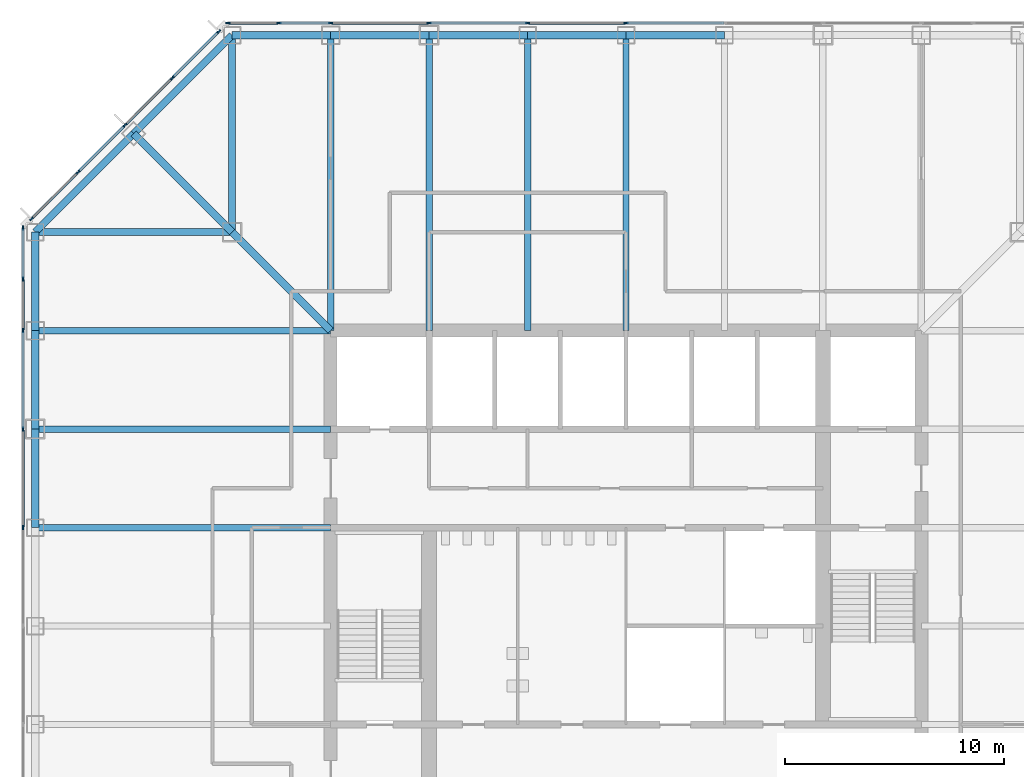
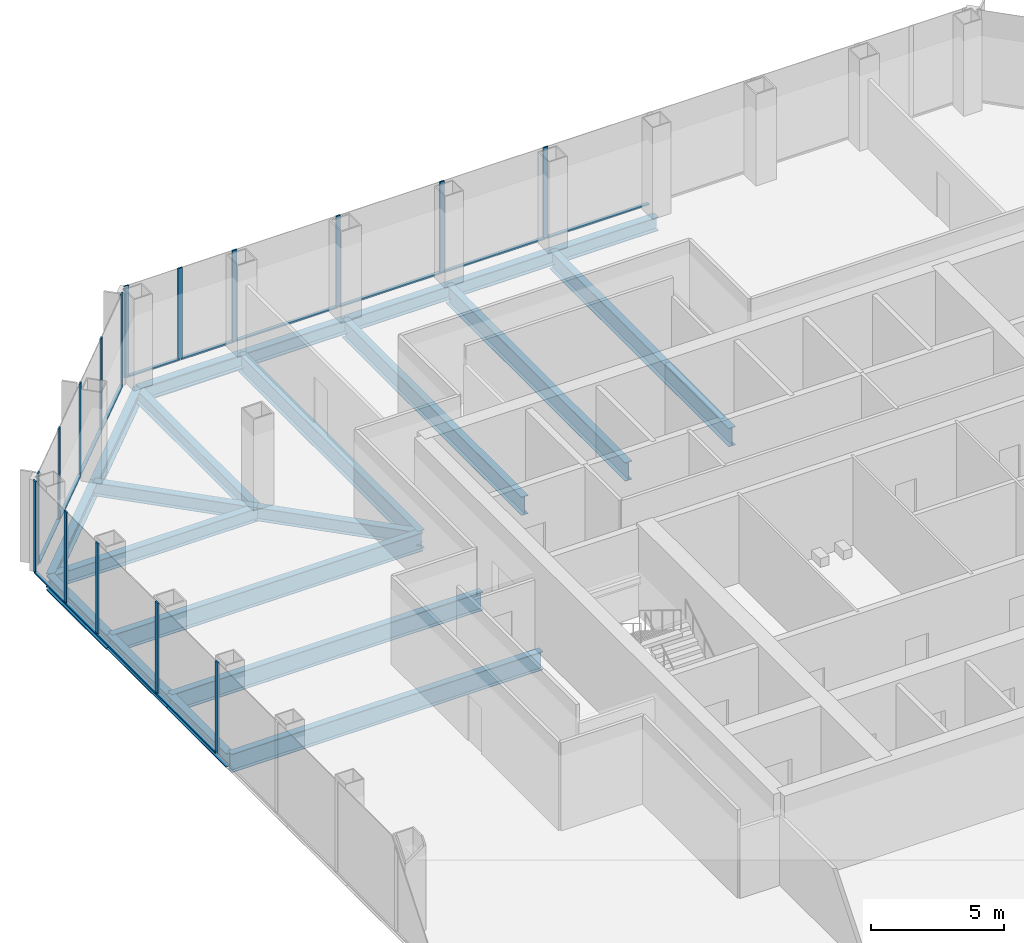
# One storey, part 5 of 12: 30 members, 21 beams, 3 elements without a shape of their own.
"""IFC4 building model written with IfcOpenShell, lengths in metres."""

import ifcopenshell
import ifcopenshell.guid

model = None  # the IFC model being written
_history = None  # IfcOwnerHistory: only IFC2X3 demands one
_inside = {}  # id of a spatial element -> (the spatial element, [elements in it])
_under = {}  # id of a project, library or spatial element -> (it, [spatial elements below it])
_declared = {}  # id of a project -> (the project, [libraries it declares])
_typed = {}  # id of a type object -> (the type object, [elements of that type])
_made_of = {}  # id of a material, layer set ... -> (it, [elements and type objects made of it])


def new_model(schema):
    """Start an empty IFC model of exactly this schema.

    Asked for "IFC4X3", IfcOpenShell would pick the latest addendum, in which some entities
    have other attributes; the version numbers below select the first issue.
    IFC2X3 requires an IfcOwnerHistory on every rooted entity: one is made here for all.
    """
    global model, _history
    if schema == "IFC4X3":
        model = ifcopenshell.file(schema_version=(4, 3, 0, 0))
    else:
        model = ifcopenshell.file(schema=schema)
    _inside.clear()
    _under.clear()
    _declared.clear()
    _typed.clear()
    _made_of.clear()
    _history = None
    if model.schema == "IFC2X3":
        org = make("IfcOrganization", Name="unknown")
        user = make(
            "IfcPersonAndOrganization",
            ThePerson=make("IfcPerson", FamilyName="unknown"),
            TheOrganization=org,
        )
        app = make(
            "IfcApplication",
            ApplicationDeveloper=org,
            Version="unknown",
            ApplicationFullName="unknown",
            ApplicationIdentifier="unknown",
        )
        _history = make(
            "IfcOwnerHistory",
            OwningUser=user,
            OwningApplication=app,
            ChangeAction="ADDED",
            CreationDate=0,
        )
    return model


def make(cls, **values):
    """One entity of the class cls with the attributes given. An attribute that is None is left unset."""
    return model.create_entity(
        cls, **{name: value for name, value in values.items() if value is not None}
    )


def rooted(cls, **values):
    """An entity with a GlobalId (a new one), such as an element, a storey or a relation."""
    return make(cls, GlobalId=ifcopenshell.guid.new(), OwnerHistory=_history, **values)


def si_unit(unit_type, name, prefix=None):
    """IfcSIUnit, for example si_unit("LENGTHUNIT", "METRE", prefix="MILLI")."""
    return make("IfcSIUnit", UnitType=unit_type, Prefix=prefix, Name=name)


def assignment(units):
    """IfcUnitAssignment: the units of a project."""
    return None if units is None else make("IfcUnitAssignment", Units=units)


def point(xyz):
    """IfcCartesianPoint."""
    return None if xyz is None else make("IfcCartesianPoint", Coordinates=xyz)


def direction(xyz):
    """IfcDirection."""
    return None if xyz is None else make("IfcDirection", DirectionRatios=xyz)


def frame(location, z_axis=None, x_axis=None):
    """IfcAxis2Placement3D, a coordinate frame: its origin and axes. An axis left out is left unset."""
    return make(
        "IfcAxis2Placement3D",
        Location=point(location),
        Axis=direction(z_axis),
        RefDirection=direction(x_axis),
    )


def frame_2d(location, x_axis=None):
    """IfcAxis2Placement2D, a coordinate frame in the plane: its origin and x axis."""
    return make(
        "IfcAxis2Placement2D", Location=point(location), RefDirection=direction(x_axis)
    )


def origin():
    """The frame at (0, 0, 0) with its axes left unset."""
    return frame((0.0, 0.0, 0.0))


def origin_2d():
    """The frame at (0, 0) in the plane with its x axis left unset."""
    return frame_2d((0.0, 0.0))


def place(relative_to, where):
    """IfcLocalPlacement: puts the frame where relative to a parent placement (None: the world)."""
    return make(
        "IfcLocalPlacement", PlacementRelTo=relative_to, RelativePlacement=where
    )


def context(
    kind, dimensions, precision=None, world=None, true_north=None, identifier=None
):
    """IfcGeometricRepresentationContext, for example the 3D "Model" context."""
    return make(
        "IfcGeometricRepresentationContext",
        ContextIdentifier=identifier,
        ContextType=kind,
        CoordinateSpaceDimension=dimensions,
        Precision=precision,
        WorldCoordinateSystem=world,
        TrueNorth=true_north,
    )


def subcontext(parent, identifier, kind, view, scale=None):
    """IfcGeometricRepresentationSubContext, for example "Body" below "Model"."""
    return make(
        "IfcGeometricRepresentationSubContext",
        ContextIdentifier=identifier,
        ContextType=kind,
        ParentContext=parent,
        TargetScale=scale,
        TargetView=view,
    )


def project(units=None, contexts=None):
    """IfcProject with its units and contexts."""
    return rooted(
        "IfcProject",
        Name="project",
        RepresentationContexts=contexts,
        UnitsInContext=assignment(units),
    )


def spatial(cls, under=None, at=None, **own):
    """A site, building, storey or space (cls), placed at a placement, below another one or the project."""
    s = rooted(cls, ObjectPlacement=at, **own)
    if under is not None:
        _under.setdefault(under.id(), (under, []))[1].append(s)
    return s


def profile(cls, at=None, kind="AREA", **sizes):
    """A parametric profile (cls). Its sizes go by their IFC names, for example OverallWidth=200.0."""
    return make(cls, ProfileType=kind, Position=at, **sizes)


def rectangle(**sizes):
    """IfcRectangleProfileDef."""
    return profile("IfcRectangleProfileDef", **sizes)


def i_section(**sizes):
    """IfcIShapeProfileDef."""
    return profile("IfcIShapeProfileDef", **sizes)


def extrude(swept, where, along, depth):
    """IfcExtrudedAreaSolid: the profile swept, set in the frame where, extruded along a direction by depth."""
    return make(
        "IfcExtrudedAreaSolid",
        SweptArea=swept,
        Position=where,
        ExtrudedDirection=direction(along),
        Depth=depth,
    )


def shape(context_of_items, identifier, shape_type, items):
    """IfcShapeRepresentation: the items that make up one representation, for example the "Body"."""
    return make(
        "IfcShapeRepresentation",
        ContextOfItems=context_of_items,
        RepresentationIdentifier=identifier,
        RepresentationType=shape_type,
        Items=items,
    )


def material(Name=None, Category=None):
    """IfcMaterial."""
    return make("IfcMaterial", Name=Name, Category=Category)


def material_profile(
    of_material, cross_section, Name=None, Category=None, Priority=None
):
    """IfcMaterialProfile: a cross section and its material."""
    return make(
        "IfcMaterialProfile",
        Name=Name,
        Material=of_material,
        Profile=cross_section,
        Priority=Priority,
        Category=Category,
    )


def profile_set(profiles, Name=None, composite=None):
    """IfcMaterialProfileSet."""
    return make(
        "IfcMaterialProfileSet",
        Name=Name,
        MaterialProfiles=profiles,
        CompositeProfile=composite,
    )


def made_of(thing, what):
    """Note that an element or type object is made of a material, layer set ...; save() writes the relation."""
    if what is not None:
        _made_of.setdefault(what.id(), (what, []))[1].append(thing)
    return thing


def type_object(cls, material=None, **own):
    """A type object (cls), such as IfcWallType, which elements share."""
    return made_of(rooted(cls, **own), material)


def element(
    cls,
    number,
    at=None,
    inside=None,
    cuts=None,
    type_object=None,
    material=None,
    context=None,
    identifier="Body",
    shape_type=None,
    held_by="IfcProductDefinitionShape",
    body=None,
    shapes=None,
    **own,
):
    """One element of the class cls, such as IfcWall. Its Tag is "e" and its number.

    at: its placement. inside: the storey or other place that contains it. cuts: it is an
    opening in that element (IfcRelVoidsElement). A single representation is given by context,
    identifier, shape_type and body (its items); several are given by shapes. held_by: the class
    of the entity that holds the representations. save() writes the other relations.
    """
    e = rooted(cls, Tag="e%d" % number, ObjectPlacement=at, **own)
    if body is not None:
        shapes = [shape(context, identifier, shape_type, body)]
    if shapes is not None:
        e.Representation = make(held_by, Representations=shapes)
    if inside is not None:
        _inside.setdefault(inside.id(), (inside, []))[1].append(e)
    if cuts is not None:
        rooted(
            "IfcRelVoidsElement", RelatingBuildingElement=cuts, RelatedOpeningElement=e
        )
    if type_object is not None:
        _typed.setdefault(type_object.id(), (type_object, []))[1].append(e)
    return made_of(e, material)


def aggregate(whole, parts):
    """IfcRelAggregates: a whole, such as a stair, and the parts it consists of."""
    return rooted("IfcRelAggregates", RelatingObject=whole, RelatedObjects=parts)


def save(model, path):
    """Write the relations noted so far, then the file.

    IfcRelAggregates (storeys below a building ...), IfcRelContainedInSpatialStructure (elements
    in a storey), IfcRelDefinesByType, IfcRelAssociatesMaterial and IfcRelDeclares: one each for
    every whole, place, type object, material and project.
    """
    for whole, parts in _under.values():
        aggregate(whole, parts)
    for where, things in _inside.values():
        rooted(
            "IfcRelContainedInSpatialStructure",
            RelatedElements=things,
            RelatingStructure=where,
        )
    for kind, things in _typed.values():
        rooted("IfcRelDefinesByType", RelatedObjects=things, RelatingType=kind)
    for what, things in _made_of.values():
        rooted("IfcRelAssociatesMaterial", RelatedObjects=things, RelatingMaterial=what)
    for by, libraries in _declared.values():
        rooted("IfcRelDeclares", RelatingContext=by, RelatedDefinitions=libraries)
    model.write(path)


model = new_model("IFC4")

# Units and contexts
model_context = context("Model", 3, precision=1e-05, world=origin(), true_north=direction((0.0, 1.0)))
body_context = subcontext(model_context, "Body", "Model", "MODEL_VIEW")
ifc_project = project(units=[si_unit("LENGTHUNIT", "METRE"), si_unit("AREAUNIT", "SQUARE_METRE"), si_unit("VOLUMEUNIT", "CUBIC_METRE"), si_unit("PLANEANGLEUNIT", "RADIAN"), si_unit("MASSUNIT", "GRAM", prefix="KILO")], contexts=[model_context])

# Site, building, storey
site_placement = place(None, origin())
site = spatial("IfcSite", under=ifc_project, at=site_placement, CompositionType="ELEMENT")
building_placement = place(site_placement, origin())
building = spatial("IfcBuilding", under=site, at=building_placement, Name="Corais Broadcast Tower", CompositionType="ELEMENT")
storey_placement = place(building_placement, frame((0.0, 0.0, 71.0)))
storey = spatial("IfcBuildingStorey", under=building, at=storey_placement, Name="L15", CompositionType="ELEMENT", Elevation=71.0)

# Beams
ifc_material_1 = material(Name="Steel ASTM A572 Grade 50", Category="steel")
ifc_material_profile_1 = material_profile(ifc_material_1, i_section(OverallWidth=0.323974609375, OverallDepth=0.611083984375, WebThickness=0.0126953125, FlangeThickness=0.01904296875, at=origin_2d()), Name="W610x155")
ifc_profile_set_1 = profile_set([ifc_material_profile_1], Name="Steel ASTM A572 Grade 50")
beam_type_1 = type_object("IfcBeamType", Name="Chamfer tie W610x155", PredefinedType="BEAM", material=ifc_profile_set_1)
beam_1_placement = place(storey_placement, frame((4.5, 49.5, -0.465576171875), z_axis=(0.707106781187, -0.707106781187, 0.0), x_axis=(0.707106781187, 0.707106781187, 0.0)))
element("IfcBeam", 1, at=beam_1_placement, inside=storey, type_object=beam_type_1, Name="B5 M/4 to L/5", PredefinedType="BEAM", context=body_context, shape_type="SweptSolid", body=[
    extrude(i_section(OverallWidth=0.323974609375, OverallDepth=0.611083984375, WebThickness=0.0126953125, FlangeThickness=0.01904296875, at=origin_2d()), origin(), (0.0, 0.0, 1.0), 6.364013671875),
])
ifc_material_2 = material(Name="Steel ASTM A572 Grade 50", Category="steel")
ifc_material_profile_2 = material_profile(ifc_material_2, i_section(OverallWidth=0.323974609375, OverallDepth=0.611083984375, WebThickness=0.0126953125, FlangeThickness=0.01904296875, at=origin_2d()), Name="W610x155")
ifc_profile_set_2 = profile_set([ifc_material_profile_2], Name="Steel ASTM A572 Grade 50")
beam_type_2 = type_object("IfcBeamType", Name="Corner diagonal W610x155", PredefinedType="BEAM", material=ifc_profile_set_2)
beam_2_placement = place(storey_placement, frame((9.0, 45.0, -0.465576171875), z_axis=(0.707106781187, -0.707106781187, 0.0), x_axis=(0.707106781187, 0.707106781187, 0.0)))
element("IfcBeam", 2, at=beam_2_placement, inside=storey, type_object=beam_type_2, Name="B6 L/5 to K/6", PredefinedType="BEAM", context=body_context, shape_type="SweptSolid", body=[
    extrude(i_section(OverallWidth=0.323974609375, OverallDepth=0.611083984375, WebThickness=0.0126953125, FlangeThickness=0.01904296875, at=origin_2d()), origin(), (0.0, 0.0, 1.0), 6.364013671875),
])
ifc_material_3 = material(Name="Steel ASTM A572 Grade 50", Category="steel")
ifc_material_profile_3 = material_profile(ifc_material_3, i_section(OverallWidth=0.323974609375, OverallDepth=0.611083984375, WebThickness=0.0126953125, FlangeThickness=0.01904296875, at=origin_2d()), Name="W610x155")
ifc_profile_set_3 = profile_set([ifc_material_profile_3], Name="Steel ASTM A572 Grade 50")
beam_type_3 = type_object("IfcBeamType", Name="Corner girder W610x155", PredefinedType="BEAM", material=ifc_profile_set_3)
for number, where, z_axis, x_axis, name in (
    (3, (0.0, 45.0, -0.465576171875), (1.0, 0.0, 0.0), (0.0, 1.0, 0.0), "B4 L/3 to L/5"),
    (4, (9.0, 54.0, -0.465576171875), (0.0, -1.0, 0.0), (1.0, 0.0, 0.0), "B4 N/5 to L/5"),
):
    element("IfcBeam", number, at=place(storey_placement, frame(where, z_axis=z_axis, x_axis=x_axis)), inside=storey, type_object=beam_type_3, Name=name, PredefinedType="BEAM", context=body_context, shape_type="SweptSolid", body=[
        extrude(i_section(OverallWidth=0.323974609375, OverallDepth=0.611083984375, WebThickness=0.0126953125, FlangeThickness=0.01904296875, at=origin_2d()), origin(), (0.0, 0.0, 1.0), 9.0),
    ])
ifc_material_4 = material(Name="Steel ASTM A572 Grade 50", Category="steel")
ifc_material_profile_4 = material_profile(ifc_material_4, i_section(OverallWidth=0.337890625, OverallDepth=0.677978515625, WebThickness=0.029541015625, FlangeThickness=0.052978515625, at=origin_2d()), Name="W610x415")
ifc_profile_set_4 = profile_set([ifc_material_profile_4], Name="Steel ASTM A572 Grade 50")
beam_type_4 = type_object("IfcBeamType", Name="Corner spandrel W610x415", PredefinedType="BEAM", material=ifc_profile_set_4)
for number, where, z_axis, x_axis, name in (
    (5, (0.0, 45.0, -0.4990234375), (0.0, -1.0, 0.0), (1.0, 0.0, 0.0), "SB10 L/3 to K/3"),
    (6, (13.5, 54.0, -0.4990234375), (-1.0, 0.0, 0.0), (0.0, -1.0, 0.0), "SB10 N/6 to N/5"),
):
    element("IfcBeam", number, at=place(storey_placement, frame(where, z_axis=z_axis, x_axis=x_axis)), inside=storey, type_object=beam_type_4, Name=name, PredefinedType="BEAM", context=body_context, shape_type="SweptSolid", body=[
        extrude(i_section(OverallWidth=0.337890625, OverallDepth=0.677978515625, WebThickness=0.029541015625, FlangeThickness=0.052978515625, at=origin_2d()), origin(), (0.0, 0.0, 1.0), 4.5),
    ])
ifc_material_5 = material(Name="Steel ASTM A572 Grade 50", Category="steel")
ifc_material_profile_5 = material_profile(ifc_material_5, i_section(OverallWidth=0.2939453125, OverallDepth=0.85107421875, WebThickness=0.01611328125, FlangeThickness=0.02685546875, at=origin_2d()), Name="W840x226")
ifc_profile_set_5 = profile_set([ifc_material_profile_5], Name="Steel ASTM A572 Grade 50")
beam_type_5 = type_object("IfcBeamType", Name="Floor beam W840x226", PredefinedType="BEAM", material=ifc_profile_set_5)
for number, where, z_axis, x_axis, name in (
    (7, (0.0, 31.5, -0.58544921875), (1.0, 0.0, 0.0), (0.0, 1.0, 0.0), "B1 H/3 to H/6"),
    (8, (0.0, 36.0, -0.58544921875), (1.0, 0.0, 0.0), (0.0, 1.0, 0.0), "B1 J/3 to J/6"),
    (9, (0.0, 40.5, -0.58544921875), (1.0, 0.0, 0.0), (0.0, 1.0, 0.0), "B1 K/3 to K/6"),
    (10, (13.5, 54.0, -0.58544921875), (0.0, -1.0, 0.0), (1.0, 0.0, 0.0), "B1 N/6 to K/6"),
    (11, (18.0, 54.0, -0.58544921875), (0.0, -1.0, 0.0), (1.0, 0.0, 0.0), "B1 N/7 to K/7"),
    (12, (22.5, 54.0, -0.58544921875), (0.0, -1.0, 0.0), (1.0, 0.0, 0.0), "B1 N/8 to K/8"),
    (13, (27.0, 54.0, -0.58544921875), (0.0, -1.0, 0.0), (1.0, 0.0, 0.0), "B1 N/9 to K/9"),
):
    element("IfcBeam", number, at=place(storey_placement, frame(where, z_axis=z_axis, x_axis=x_axis)), inside=storey, type_object=beam_type_5, Name=name, PredefinedType="BEAM", context=body_context, shape_type="SweptSolid", body=[
        extrude(i_section(OverallWidth=0.2939453125, OverallDepth=0.85107421875, WebThickness=0.01611328125, FlangeThickness=0.02685546875, at=origin_2d()), origin(), (0.0, 0.0, 1.0), 13.5),
    ])

# Curtain wall, members
ifc_material_6 = material(Name="Aluminium and glass", Category="aluminium")
curtain_wall_type = type_object("IfcCurtainWallType", Name="Unitised fritted curtain wall CW1", PredefinedType="NOTDEFINED", material=ifc_material_6)
curtain_wall_1_placement = place(storey_placement, origin())
curtain_wall_1 = element("IfcCurtainWall", 14, at=curtain_wall_1_placement, inside=storey, type_object=curtain_wall_type, Name="CW1 curtain wall L15 2", PredefinedType="NOTDEFINED")
ifc_material_7 = material(Name="Aluminium 6063-T6", Category="aluminium")
ifc_material_profile_6 = material_profile(ifc_material_7, rectangle(XDim=0.06494140625, YDim=0.199951171875, at=origin_2d()), Name="Mullion CW1 65x200")
ifc_profile_set_6 = profile_set([ifc_material_profile_6], Name="Aluminium 6063-T6")
member_type_1 = type_object("IfcMemberType", Name="Mullion CW1 65x200", PredefinedType="MULLION", material=ifc_profile_set_6)
member_1_placement = place(storey_placement, frame((-0.550048828125, 31.5, 0.0), z_axis=(0.0, 0.0, 1.0), x_axis=(-1.0, 0.0, 0.0)))
member_1 = element("IfcMember", 15, at=member_1_placement, type_object=member_type_1, Name="CW1 mullion 7", PredefinedType="MULLION", context=body_context, shape_type="SweptSolid", body=[
    extrude(rectangle(XDim=0.06494140625, YDim=0.199951171875, at=origin_2d()), origin(), (0.0, 0.0, 1.0), 4.199951171875),
])
member_2_placement = place(storey_placement, frame((-0.550048828125, 36.0, 0.0), z_axis=(0.0, 0.0, 1.0), x_axis=(-1.0, 0.0, 0.0)))
member_2 = element("IfcMember", 16, at=member_2_placement, type_object=member_type_1, Name="CW1 mullion 8", PredefinedType="MULLION", context=body_context, shape_type="SweptSolid", body=[
    extrude(rectangle(XDim=0.06494140625, YDim=0.199951171875, at=origin_2d()), origin(), (0.0, 0.0, 1.0), 4.199951171875),
])
member_3_placement = place(storey_placement, frame((-0.550048828125, 40.5, 0.0), z_axis=(0.0, 0.0, 1.0), x_axis=(-1.0, 0.0, 0.0)))
member_3 = element("IfcMember", 17, at=member_3_placement, type_object=member_type_1, Name="CW1 mullion 9", PredefinedType="MULLION", context=body_context, shape_type="SweptSolid", body=[
    extrude(rectangle(XDim=0.06494140625, YDim=0.199951171875, at=origin_2d()), origin(), (0.0, 0.0, 1.0), 4.199951171875),
])
member_4_placement = place(storey_placement, frame((-0.550048828125, 42.864013671875, 0.0), z_axis=(0.0, 0.0, 1.0), x_axis=(-1.0, 0.0, 0.0)))
member_4 = element("IfcMember", 18, at=member_4_placement, type_object=member_type_1, Name="CW1 mullion 10", PredefinedType="MULLION", context=body_context, shape_type="SweptSolid", body=[
    extrude(rectangle(XDim=0.06494140625, YDim=0.199951171875, at=origin_2d()), origin(), (0.0, 0.0, 1.0), 4.199951171875),
])
member_5_placement = place(storey_placement, frame((-0.550048828125, 45.1953125, 0.0), z_axis=(0.0, 0.0, 1.0), x_axis=(-1.0, 0.0, 0.0)))
member_5 = element("IfcMember", 19, at=member_5_placement, type_object=member_type_1, Name="CW1 mullion 11", PredefinedType="MULLION", context=body_context, shape_type="SweptSolid", body=[
    extrude(rectangle(XDim=0.06494140625, YDim=0.199951171875, at=origin_2d()), origin(), (0.0, 0.0, 1.0), 4.199951171875),
])

curtain_wall_2_placement = place(storey_placement, origin())
curtain_wall_2 = element("IfcCurtainWall", 20, at=curtain_wall_2_placement, inside=storey, type_object=curtain_wall_type, Name="CW1 curtain wall L15 3", PredefinedType="NOTDEFINED")
member_6_placement = place(storey_placement, frame((-0.17333984375, 45.6044921875, 0.0), z_axis=(0.0, 0.0, 1.0), x_axis=(-0.707106781187, 0.707106781187, 0.0)))
member_6 = element("IfcMember", 21, at=member_6_placement, type_object=member_type_1, Name="CW1 mullion 1", PredefinedType="MULLION", context=body_context, shape_type="SweptSolid", body=[
    extrude(rectangle(XDim=0.06494140625, YDim=0.199951171875, at=origin_2d()), origin(), (0.0, 0.0, 1.0), 4.199951171875),
])
member_7_placement = place(storey_placement, frame((1.957275390625, 47.735107421875, 0.0), z_axis=(0.0, 0.0, 1.0), x_axis=(-0.707106781187, 0.707106781187, 0.0)))
member_7 = element("IfcMember", 22, at=member_7_placement, type_object=member_type_1, Name="CW1 mullion 2", PredefinedType="MULLION", context=body_context, shape_type="SweptSolid", body=[
    extrude(rectangle(XDim=0.06494140625, YDim=0.199951171875, at=origin_2d()), origin(), (0.0, 0.0, 1.0), 4.199951171875),
])
member_8_placement = place(storey_placement, frame((4.111083984375, 49.888916015625, 0.0), z_axis=(0.0, 0.0, 1.0), x_axis=(-0.707106781187, 0.707106781187, 0.0)))
member_8 = element("IfcMember", 23, at=member_8_placement, type_object=member_type_1, Name="CW1 mullion 3", PredefinedType="MULLION", context=body_context, shape_type="SweptSolid", body=[
    extrude(rectangle(XDim=0.06494140625, YDim=0.199951171875, at=origin_2d()), origin(), (0.0, 0.0, 1.0), 4.199951171875),
])
member_9_placement = place(storey_placement, frame((6.264892578125, 52.042724609375, 0.0), z_axis=(0.0, 0.0, 1.0), x_axis=(-0.707106781187, 0.707106781187, 0.0)))
member_9 = element("IfcMember", 24, at=member_9_placement, type_object=member_type_1, Name="CW1 mullion 4", PredefinedType="MULLION", context=body_context, shape_type="SweptSolid", body=[
    extrude(rectangle(XDim=0.06494140625, YDim=0.199951171875, at=origin_2d()), origin(), (0.0, 0.0, 1.0), 4.199951171875),
])
member_10_placement = place(storey_placement, frame((8.3955078125, 54.17333984375, 0.0), z_axis=(0.0, 0.0, 1.0), x_axis=(-0.707106781187, 0.707106781187, 0.0)))
member_10 = element("IfcMember", 25, at=member_10_placement, type_object=member_type_1, Name="CW1 mullion 5", PredefinedType="MULLION", context=body_context, shape_type="SweptSolid", body=[
    extrude(rectangle(XDim=0.06494140625, YDim=0.199951171875, at=origin_2d()), origin(), (0.0, 0.0, 1.0), 4.199951171875),
])

curtain_wall_3_placement = place(storey_placement, origin())
curtain_wall_3 = element("IfcCurtainWall", 26, at=curtain_wall_3_placement, inside=storey, type_object=curtain_wall_type, Name="CW1 curtain wall L15 4", PredefinedType="NOTDEFINED")
member_11_placement = place(storey_placement, frame((8.8046875, 54.550048828125, 0.0), z_axis=(0.0, 0.0, 1.0), x_axis=(0.0, 1.0, 0.0)))
member_11 = element("IfcMember", 27, at=member_11_placement, type_object=member_type_1, Name="CW1 mullion 1", PredefinedType="MULLION", context=body_context, shape_type="SweptSolid", body=[
    extrude(rectangle(XDim=0.06494140625, YDim=0.199951171875, at=origin_2d()), origin(), (0.0, 0.0, 1.0), 4.199951171875),
])
member_12_placement = place(storey_placement, frame((11.135986328125, 54.550048828125, 0.0), z_axis=(0.0, 0.0, 1.0), x_axis=(0.0, 1.0, 0.0)))
member_12 = element("IfcMember", 28, at=member_12_placement, type_object=member_type_1, Name="CW1 mullion 2", PredefinedType="MULLION", context=body_context, shape_type="SweptSolid", body=[
    extrude(rectangle(XDim=0.06494140625, YDim=0.199951171875, at=origin_2d()), origin(), (0.0, 0.0, 1.0), 4.199951171875),
])
member_13_placement = place(storey_placement, frame((13.5, 54.550048828125, 0.0), z_axis=(0.0, 0.0, 1.0), x_axis=(0.0, 1.0, 0.0)))
member_13 = element("IfcMember", 29, at=member_13_placement, type_object=member_type_1, Name="CW1 mullion 3", PredefinedType="MULLION", context=body_context, shape_type="SweptSolid", body=[
    extrude(rectangle(XDim=0.06494140625, YDim=0.199951171875, at=origin_2d()), origin(), (0.0, 0.0, 1.0), 4.199951171875),
])
member_14_placement = place(storey_placement, frame((18.0, 54.550048828125, 0.0), z_axis=(0.0, 0.0, 1.0), x_axis=(0.0, 1.0, 0.0)))
member_14 = element("IfcMember", 30, at=member_14_placement, type_object=member_type_1, Name="CW1 mullion 4", PredefinedType="MULLION", context=body_context, shape_type="SweptSolid", body=[
    extrude(rectangle(XDim=0.06494140625, YDim=0.199951171875, at=origin_2d()), origin(), (0.0, 0.0, 1.0), 4.199951171875),
])
member_15_placement = place(storey_placement, frame((22.5, 54.550048828125, 0.0), z_axis=(0.0, 0.0, 1.0), x_axis=(0.0, 1.0, 0.0)))
member_15 = element("IfcMember", 31, at=member_15_placement, type_object=member_type_1, Name="CW1 mullion 5", PredefinedType="MULLION", context=body_context, shape_type="SweptSolid", body=[
    extrude(rectangle(XDim=0.06494140625, YDim=0.199951171875, at=origin_2d()), origin(), (0.0, 0.0, 1.0), 4.199951171875),
])
member_16_placement = place(storey_placement, frame((27.0, 54.550048828125, 0.0), z_axis=(0.0, 0.0, 1.0), x_axis=(0.0, 1.0, 0.0)))
member_16 = element("IfcMember", 32, at=member_16_placement, type_object=member_type_1, Name="CW1 mullion 6", PredefinedType="MULLION", context=body_context, shape_type="SweptSolid", body=[
    extrude(rectangle(XDim=0.06494140625, YDim=0.199951171875, at=origin_2d()), origin(), (0.0, 0.0, 1.0), 4.199951171875),
])

# Beams
ifc_material_8 = material(Name="Steel ASTM A572 Grade 50", Category="steel")
ifc_material_profile_7 = material_profile(ifc_material_8, i_section(OverallWidth=0.3291015625, OverallDepth=0.635009765625, WebThickness=0.017822265625, FlangeThickness=0.031005859375, at=origin_2d()), Name="W610x241")
ifc_profile_set_7 = profile_set([ifc_material_profile_7], Name="Steel ASTM A572 Grade 50")
beam_type_6 = type_object("IfcBeamType", Name="Spandrel W610x241", PredefinedType="BEAM", material=ifc_profile_set_7)
for number, where, z_axis, x_axis, name in (
    (33, (0.0, 36.0, -0.4775390625), (0.0, -1.0, 0.0), (1.0, 0.0, 0.0), "SB1 J/3 to H/3"),
    (34, (0.0, 40.5, -0.4775390625), (0.0, -1.0, 0.0), (1.0, 0.0, 0.0), "SB1 K/3 to J/3"),
    (35, (18.0, 54.0, -0.4775390625), (-1.0, 0.0, 0.0), (0.0, -1.0, 0.0), "SB1 N/7 to N/6"),
    (36, (22.5, 54.0, -0.4775390625), (-1.0, 0.0, 0.0), (0.0, -1.0, 0.0), "SB1 N/8 to N/7"),
    (37, (27.0, 54.0, -0.4775390625), (-1.0, 0.0, 0.0), (0.0, -1.0, 0.0), "SB1 N/9 to N/8"),
    (38, (31.5, 54.0, -0.4775390625), (-1.0, 0.0, 0.0), (0.0, -1.0, 0.0), "SB1 N/10 to N/9"),
):
    element("IfcBeam", number, at=place(storey_placement, frame(where, z_axis=z_axis, x_axis=x_axis)), inside=storey, type_object=beam_type_6, Name=name, PredefinedType="BEAM", context=body_context, shape_type="SweptSolid", body=[
        extrude(i_section(OverallWidth=0.3291015625, OverallDepth=0.635009765625, WebThickness=0.017822265625, FlangeThickness=0.031005859375, at=origin_2d()), origin(), (0.0, 0.0, 1.0), 4.5),
    ])
for number, where, z_axis, x_axis, name in (
    (39, (4.5, 49.5, -0.4775390625), (-0.707106781187, -0.707106781187, 0.0), (0.707106781187, -0.707106781187, 0.0), "SB1 M/4 to L/3"),
    (40, (9.0, 54.0, -0.4775390625), (-0.707106781187, -0.707106781187, 0.0), (0.707106781187, -0.707106781187, 0.0), "SB1 N/5 to M/4"),
):
    element("IfcBeam", number, at=place(storey_placement, frame(where, z_axis=z_axis, x_axis=x_axis)), inside=storey, type_object=beam_type_6, Name=name, PredefinedType="BEAM", context=body_context, shape_type="SweptSolid", body=[
        extrude(i_section(OverallWidth=0.3291015625, OverallDepth=0.635009765625, WebThickness=0.017822265625, FlangeThickness=0.031005859375, at=origin_2d()), origin(), (0.0, 0.0, 1.0), 6.364013671875),
    ])

# Member
ifc_material_9 = material(Name="Aluminium 6063-T6", Category="aluminium")
ifc_material_profile_8 = material_profile(ifc_material_9, rectangle(XDim=0.139892578125, YDim=0.06494140625, at=origin_2d()), Name="Transom CW1 65x140")
ifc_profile_set_8 = profile_set([ifc_material_profile_8], Name="Aluminium 6063-T6")
member_type_2 = type_object("IfcMemberType", Name="Transom CW1 65x140", PredefinedType="USERDEFINED", material=ifc_profile_set_8)
member_17_placement = place(storey_placement, frame((-0.550048828125, 31.532470703125, 0.032470703125), z_axis=(0.0, 1.0, 0.0), x_axis=(-1.0, 0.0, 0.0)))
member_17 = element("IfcMember", 41, at=member_17_placement, type_object=member_type_2, Name="CW1 transom 7.1", ObjectType="TRANSOM", PredefinedType="USERDEFINED", context=body_context, shape_type="SweptSolid", body=[
    extrude(rectangle(XDim=0.139892578125, YDim=0.06494140625, at=origin_2d()), origin(), (0.0, 0.0, 1.0), 4.43505859375),
])

member_18_placement = place(storey_placement, frame((-0.550048828125, 36.032470703125, 0.032470703125), z_axis=(0.0, 1.0, 0.0), x_axis=(-1.0, 0.0, 0.0)))
member_18 = element("IfcMember", 42, at=member_18_placement, type_object=member_type_2, Name="CW1 transom 8.1", ObjectType="TRANSOM", PredefinedType="USERDEFINED", context=body_context, shape_type="SweptSolid", body=[
    extrude(rectangle(XDim=0.139892578125, YDim=0.06494140625, at=origin_2d()), origin(), (0.0, 0.0, 1.0), 4.43505859375),
])

member_19_placement = place(storey_placement, frame((-0.550048828125, 40.532470703125, 0.032470703125), z_axis=(0.0, 1.0, 0.0), x_axis=(-1.0, 0.0, 0.0)))
member_19 = element("IfcMember", 43, at=member_19_placement, type_object=member_type_2, Name="CW1 transom 9.1", ObjectType="TRANSOM", PredefinedType="USERDEFINED", context=body_context, shape_type="SweptSolid", body=[
    extrude(rectangle(XDim=0.139892578125, YDim=0.06494140625, at=origin_2d()), origin(), (0.0, 0.0, 1.0), 2.298828125),
])

member_20_placement = place(storey_placement, frame((-0.550048828125, 42.896484375, 0.032470703125), z_axis=(0.0, 1.0, 0.0), x_axis=(-1.0, 0.0, 0.0)))
member_20 = element("IfcMember", 44, at=member_20_placement, type_object=member_type_2, Name="CW1 transom 10.1", ObjectType="TRANSOM", PredefinedType="USERDEFINED", context=body_context, shape_type="SweptSolid", body=[
    extrude(rectangle(XDim=0.139892578125, YDim=0.06494140625, at=origin_2d()), origin(), (0.0, 0.0, 1.0), 2.266357421875),
])

aggregate(curtain_wall_1, [member_1, member_2, member_3, member_4, member_5, member_17, member_18, member_19, member_20])

member_21_placement = place(storey_placement, frame((-0.150390625, 45.62744140625, 0.032470703125), z_axis=(0.707106781187, 0.707106781187, 0.0), x_axis=(-0.707106781187, 0.707106781187, 0.0)))
member_21 = element("IfcMember", 45, at=member_21_placement, type_object=member_type_2, Name="CW1 transom 1.1", ObjectType="TRANSOM", PredefinedType="USERDEFINED", context=body_context, shape_type="SweptSolid", body=[
    extrude(rectangle(XDim=0.139892578125, YDim=0.06494140625, at=origin_2d()), origin(), (0.0, 0.0, 1.0), 2.9482421875),
])

member_22_placement = place(storey_placement, frame((1.980224609375, 47.758056640625, 0.032470703125), z_axis=(0.707106781187, 0.707106781187, 0.0), x_axis=(-0.707106781187, 0.707106781187, 0.0)))
member_22 = element("IfcMember", 46, at=member_22_placement, type_object=member_type_2, Name="CW1 transom 2.1", ObjectType="TRANSOM", PredefinedType="USERDEFINED", context=body_context, shape_type="SweptSolid", body=[
    extrude(rectangle(XDim=0.139892578125, YDim=0.06494140625, at=origin_2d()), origin(), (0.0, 0.0, 1.0), 2.98095703125),
])

member_23_placement = place(storey_placement, frame((4.134033203125, 49.911865234375, 0.032470703125), z_axis=(0.707106781187, 0.707106781187, 0.0), x_axis=(-0.707106781187, 0.707106781187, 0.0)))
member_23 = element("IfcMember", 47, at=member_23_placement, type_object=member_type_2, Name="CW1 transom 3.1", ObjectType="TRANSOM", PredefinedType="USERDEFINED", context=body_context, shape_type="SweptSolid", body=[
    extrude(rectangle(XDim=0.139892578125, YDim=0.06494140625, at=origin_2d()), origin(), (0.0, 0.0, 1.0), 2.98095703125),
])

member_24_placement = place(storey_placement, frame((6.287841796875, 52.065673828125, 0.032470703125), z_axis=(0.707106781187, 0.707106781187, 0.0), x_axis=(-0.707106781187, 0.707106781187, 0.0)))
member_24 = element("IfcMember", 48, at=member_24_placement, type_object=member_type_2, Name="CW1 transom 4.1", ObjectType="TRANSOM", PredefinedType="USERDEFINED", context=body_context, shape_type="SweptSolid", body=[
    extrude(rectangle(XDim=0.139892578125, YDim=0.06494140625, at=origin_2d()), origin(), (0.0, 0.0, 1.0), 2.9482421875),
])

aggregate(curtain_wall_2, [member_6, member_7, member_8, member_9, member_10, member_21, member_22, member_23, member_24])

member_25_placement = place(storey_placement, frame((8.837158203125, 54.550048828125, 0.032470703125), z_axis=(1.0, 0.0, 0.0), x_axis=(0.0, 1.0, 0.0)))
member_25 = element("IfcMember", 49, at=member_25_placement, type_object=member_type_2, Name="CW1 transom 1.1", ObjectType="TRANSOM", PredefinedType="USERDEFINED", context=body_context, shape_type="SweptSolid", body=[
    extrude(rectangle(XDim=0.139892578125, YDim=0.06494140625, at=origin_2d()), origin(), (0.0, 0.0, 1.0), 2.266357421875),
])

member_26_placement = place(storey_placement, frame((11.168701171875, 54.550048828125, 0.032470703125), z_axis=(1.0, 0.0, 0.0), x_axis=(0.0, 1.0, 0.0)))
member_26 = element("IfcMember", 50, at=member_26_placement, type_object=member_type_2, Name="CW1 transom 2.1", ObjectType="TRANSOM", PredefinedType="USERDEFINED", context=body_context, shape_type="SweptSolid", body=[
    extrude(rectangle(XDim=0.139892578125, YDim=0.06494140625, at=origin_2d()), origin(), (0.0, 0.0, 1.0), 2.298828125),
])

member_27_placement = place(storey_placement, frame((13.532470703125, 54.550048828125, 0.032470703125), z_axis=(1.0, 0.0, 0.0), x_axis=(0.0, 1.0, 0.0)))
member_27 = element("IfcMember", 51, at=member_27_placement, type_object=member_type_2, Name="CW1 transom 3.1", ObjectType="TRANSOM", PredefinedType="USERDEFINED", context=body_context, shape_type="SweptSolid", body=[
    extrude(rectangle(XDim=0.139892578125, YDim=0.06494140625, at=origin_2d()), origin(), (0.0, 0.0, 1.0), 4.43505859375),
])

member_28_placement = place(storey_placement, frame((18.032470703125, 54.550048828125, 0.032470703125), z_axis=(1.0, 0.0, 0.0), x_axis=(0.0, 1.0, 0.0)))
member_28 = element("IfcMember", 52, at=member_28_placement, type_object=member_type_2, Name="CW1 transom 4.1", ObjectType="TRANSOM", PredefinedType="USERDEFINED", context=body_context, shape_type="SweptSolid", body=[
    extrude(rectangle(XDim=0.139892578125, YDim=0.06494140625, at=origin_2d()), origin(), (0.0, 0.0, 1.0), 4.43505859375),
])

member_29_placement = place(storey_placement, frame((22.532470703125, 54.550048828125, 0.032470703125), z_axis=(1.0, 0.0, 0.0), x_axis=(0.0, 1.0, 0.0)))
member_29 = element("IfcMember", 53, at=member_29_placement, type_object=member_type_2, Name="CW1 transom 5.1", ObjectType="TRANSOM", PredefinedType="USERDEFINED", context=body_context, shape_type="SweptSolid", body=[
    extrude(rectangle(XDim=0.139892578125, YDim=0.06494140625, at=origin_2d()), origin(), (0.0, 0.0, 1.0), 4.43505859375),
])

member_30_placement = place(storey_placement, frame((27.032470703125, 54.550048828125, 0.032470703125), z_axis=(1.0, 0.0, 0.0), x_axis=(0.0, 1.0, 0.0)))
member_30 = element("IfcMember", 54, at=member_30_placement, type_object=member_type_2, Name="CW1 transom 6.1", ObjectType="TRANSOM", PredefinedType="USERDEFINED", context=body_context, shape_type="SweptSolid", body=[
    extrude(rectangle(XDim=0.139892578125, YDim=0.06494140625, at=origin_2d()), origin(), (0.0, 0.0, 1.0), 4.43505859375),
])

aggregate(curtain_wall_3, [member_11, member_12, member_13, member_14, member_15, member_16, member_25, member_26, member_27, member_28, member_29, member_30])

save(model, "model.ifc")
